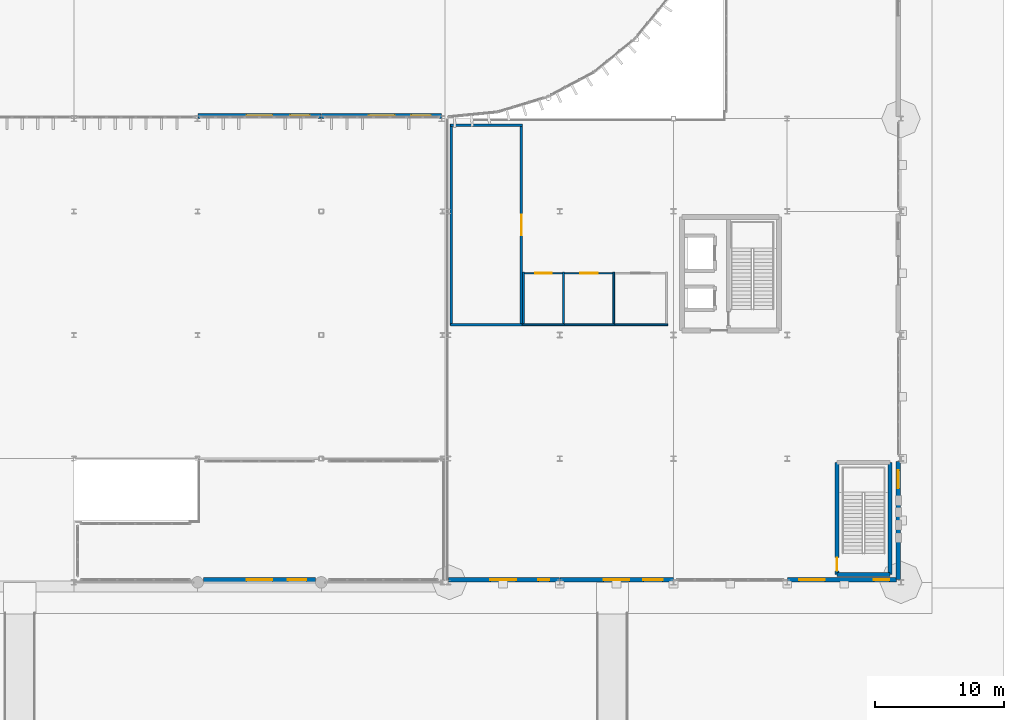
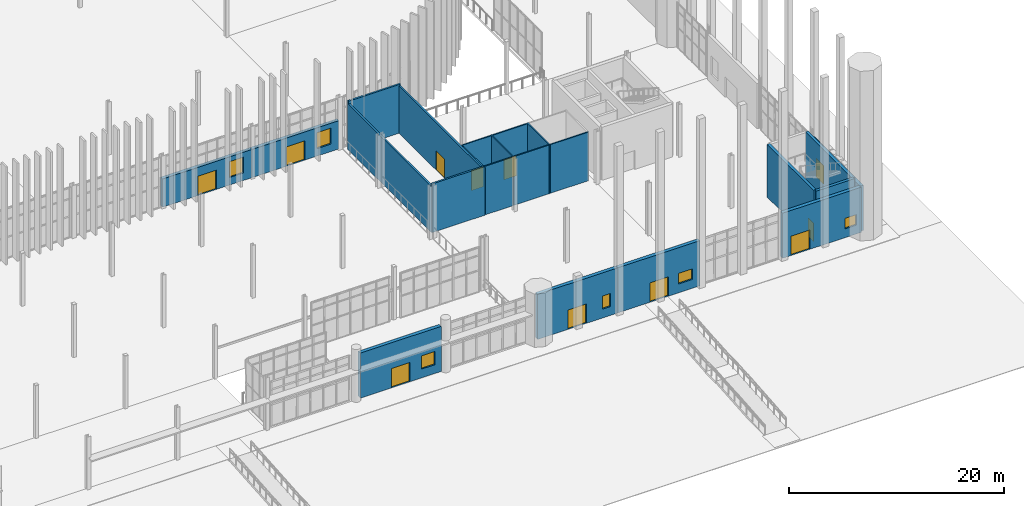
# One storey, part 105 of 139: 22 walls, 10 doors, 7 windows, 17 openings.
"""IFC4 building model written with IfcOpenShell, lengths in metres."""

from ifc_helpers import new_model, si_unit, direction, frame, frame_2d, origin, place, context, subcontext, project, spatial, rectangle, extrude, material, layer, layer_set, type_object, element, fill, save


model = new_model("IFC4")

# Units and contexts
model_context = context("Model", 3, precision=1e-05, world=origin(), true_north=direction((0.0, 1.0)))
body_context = subcontext(model_context, "Body", "Model", "MODEL_VIEW")
ifc_project = project(units=[si_unit("LENGTHUNIT", "METRE"), si_unit("AREAUNIT", "SQUARE_METRE"), si_unit("VOLUMEUNIT", "CUBIC_METRE"), si_unit("PLANEANGLEUNIT", "RADIAN"), si_unit("MASSUNIT", "GRAM", prefix="KILO")], contexts=[model_context])

# Site, building, storey
site_placement = place(None, origin())
site = spatial("IfcSite", under=ifc_project, at=site_placement, CompositionType="ELEMENT")
building_placement = place(site_placement, origin())
building = spatial("IfcBuilding", under=site, at=building_placement, Name="Yeouljin Market Hall", CompositionType="ELEMENT")
storey_placement = place(building_placement, origin())
storey = spatial("IfcBuildingStorey", under=building, at=storey_placement, Name="L00", CompositionType="ELEMENT", Elevation=0.0)

# Wall, opening, door
ifc_material_1 = material(Name="Ceramic-Faced Acoustic Partition")
ifc_layer_1 = layer(ifc_material_1, 0.18994140625)
ifc_layer_set_1 = layer_set([ifc_layer_1], Name="Ceramic-Faced Acoustic Partition")
wall_type_1 = type_object("IfcWallType", Name="Part_KitchenTile_190", PredefinedType="PARTITIONING", material=ifc_layer_set_1)
wall_1_placement = place(storey_placement, frame((146.93994140625, 19.919921875, 0.0), z_axis=(0.0, 0.0, 1.0), x_axis=(0.0, 1.0, 0.0)))
wall_1 = element("IfcWall", 1, at=wall_1_placement, inside=storey, type_object=wall_type_1, Name="Interior partition PART-L00-0062", PredefinedType="PARTITIONING", context=body_context, shape_type="SweptSolid", body=[
    extrude(rectangle(XDim=15.66015625, YDim=0.18994140625, at=frame_2d((7.830078125, 0.0))), origin(), (0.0, 0.0, 1.0), 5.364990234375),
])
opening_1_placement = place(wall_1_placement, frame((7.030029296875, 0.0, 0.0)))
opening_1 = element("IfcOpeningElement", 2, at=opening_1_placement, cuts=wall_1, Name="Opening D-L00-020", PredefinedType="OPENING", context=body_context, shape_type="SweptSolid", body=[
    extrude(rectangle(XDim=1.60009765625, YDim=2.199951171875, at=frame_2d((0.800048828125, 1.10009765625))), frame((0.0, 0.10498046875, 0.0), z_axis=(0.0, -1.0, 0.0), x_axis=(1.0, 0.0, 0.0)), (0.0, 0.0, 1.0), 0.2099609375),
])
ifc_material_2 = material(Name="Painted Fire-Rated Steel", Category="steel")
door_type_1 = type_object("IfcDoorType", Name="DT-FD160", OperationType="NOTDEFINED", PredefinedType="DOOR", material=ifc_material_2)
door_1_placement = place(opening_1_placement, origin())
door_1 = element("IfcDoor", 3, at=door_1_placement, inside=storey, type_object=door_type_1, Name="Interior door D-L00-020 (Commercial Kitchen)", OperationType="SINGLE_SWING_RIGHT", OverallHeight=2.199951171875, OverallWidth=1.60009765625, PredefinedType="DOOR", context=body_context, shape_type="SweptSolid", body=[
    extrude(rectangle(XDim=1.60009765625, YDim=2.199951171875, at=frame_2d((0.800048828125, 1.10009765625))), frame((0.0, 0.02490234375, 0.0), z_axis=(0.0, -1.0, 0.0), x_axis=(1.0, 0.0, 0.0)), (0.0, 0.0, 1.0), 0.050048828125),
])
fill(opening_1, door_1)

# Walls
wall_2_placement = place(storey_placement, frame((147.02001953125, 35.5, 0.0), z_axis=(0.0, 0.0, 1.0), x_axis=(-1.0, 0.0, 0.0)))
element("IfcWall", 4, at=wall_2_placement, inside=storey, type_object=wall_type_1, Name="Interior partition PART-L00-0063", PredefinedType="PARTITIONING", context=body_context, shape_type="SweptSolid", body=[
    extrude(rectangle(XDim=5.60009765625, YDim=0.18994140625, at=frame_2d((2.800048828125, 0.0))), origin(), (0.0, 0.0, 1.0), 5.52001953125),
])
wall_3_placement = place(storey_placement, frame((141.419921875, 20.0, 0.0), z_axis=(0.0, 0.0, 1.0), x_axis=(1.0, 0.0, 0.0)))
element("IfcWall", 5, at=wall_3_placement, inside=storey, type_object=wall_type_1, Name="Interior partition PART-L00-0064", PredefinedType="PARTITIONING", context=body_context, shape_type="SweptSolid", body=[
    extrude(rectangle(XDim=5.68017578125, YDim=0.18994140625, at=frame_2d((2.840087890625, 0.0))), origin(), (0.0, 0.0, 1.0), 5.52001953125),
])
wall_4_placement = place(storey_placement, frame((141.5, 35.580078125, 0.0), z_axis=(0.0, 0.0, 1.0), x_axis=(0.0, -1.0, 0.0)))
element("IfcWall", 6, at=wall_4_placement, inside=storey, type_object=wall_type_1, Name="Interior partition PART-L00-0065", PredefinedType="PARTITIONING", context=body_context, shape_type="SweptSolid", body=[
    extrude(rectangle(XDim=15.66015625, YDim=0.18994140625, at=frame_2d((7.830078125, 0.0))), origin(), (0.0, 0.0, 1.0), 5.215087890625),
])

# Wall, opening, door
ifc_material_3 = material(Name="Moisture-Resistant Gypsum Partition")
ifc_layer_2 = layer(ifc_material_3, 0.1298828125)
ifc_layer_set_2 = layer_set([ifc_layer_2], Name="Moisture-Resistant Gypsum Partition")
wall_type_2 = type_object("IfcWallType", Name="Part_Sanitary_130", PredefinedType="PARTITIONING", material=ifc_layer_set_2)
wall_5_placement = place(storey_placement, frame((150.280029296875, 24.0, 0.0), z_axis=(0.0, 0.0, 1.0), x_axis=(-1.0, 0.0, 0.0)))
wall_5 = element("IfcWall", 7, at=wall_5_placement, inside=storey, type_object=wall_type_2, Name="Interior partition PART-L00-0040", PredefinedType="PARTITIONING", context=body_context, shape_type="SweptSolid", body=[
    extrude(rectangle(XDim=3.260009765625, YDim=0.1298828125, at=frame_2d((1.6298828125, 0.0))), origin(), (0.0, 0.0, 1.0), 5.52001953125),
])
opening_2_placement = place(wall_5_placement, frame((0.989990234375, 0.0, 0.0)))
opening_2 = element("IfcOpeningElement", 8, at=opening_2_placement, cuts=wall_5, Name="Opening D-L00-013", PredefinedType="OPENING", context=body_context, shape_type="SweptSolid", body=[
    extrude(rectangle(XDim=1.280029296875, YDim=2.280029296875, at=frame_2d((0.64013671875, 1.14013671875))), frame((0.0, 0.074951171875, 0.0), z_axis=(0.0, -1.0, 0.0), x_axis=(1.0, 0.0, 0.0)), (0.0, 0.0, 1.0), 0.14990234375),
])
ifc_material_4 = material(Name="Acoustic Timber Veneer", Category="wood")
door_type_2 = type_object("IfcDoorType", Name="DT-ID128H", OperationType="NOTDEFINED", PredefinedType="DOOR", material=ifc_material_4)
door_2_placement = place(opening_2_placement, origin())
door_2 = element("IfcDoor", 9, at=door_2_placement, inside=storey, type_object=door_type_2, Name="Interior door D-L00-013 (East Accessible WC)", OperationType="SINGLE_SWING_LEFT", OverallHeight=2.280029296875, OverallWidth=1.280029296875, PredefinedType="DOOR", context=body_context, shape_type="SweptSolid", body=[
    extrude(rectangle(XDim=1.280029296875, YDim=2.280029296875, at=frame_2d((0.64013671875, 1.14013671875))), frame((0.0, 0.02490234375, 0.0), z_axis=(0.0, -1.0, 0.0), x_axis=(1.0, 0.0, 0.0)), (0.0, 0.0, 1.0), 0.050048828125),
])
fill(opening_2, door_2)

# Walls
wall_6_placement = place(storey_placement, frame((147.02001953125, 20.0, 0.0), z_axis=(0.0, 0.0, 1.0), x_axis=(1.0, 0.0, 0.0)))
element("IfcWall", 10, at=wall_6_placement, inside=storey, type_object=wall_type_2, Name="Interior partition PART-L00-0041", PredefinedType="PARTITIONING", context=body_context, shape_type="SweptSolid", body=[
    extrude(rectangle(XDim=3.260009765625, YDim=0.1298828125, at=frame_2d((1.6298828125, 0.0))), origin(), (0.0, 0.0, 1.0), 5.52001953125),
])
wall_7_placement = place(storey_placement, frame((150.199951171875, 19.919921875, 0.0), z_axis=(0.0, 0.0, 1.0), x_axis=(0.0, 1.0, 0.0)))
element("IfcWall", 11, at=wall_7_placement, inside=storey, type_object=wall_type_2, Name="Interior partition PART-L00-0042", PredefinedType="PARTITIONING", context=body_context, shape_type="SweptSolid", body=[
    extrude(rectangle(XDim=4.16015625, YDim=0.1298828125, at=frame_2d((2.080078125, 0.0))), origin(), (0.0, 0.0, 1.0), 5.52001953125),
])
wall_8_placement = place(storey_placement, frame((147.10009765625, 24.080078125, 0.0), z_axis=(0.0, 0.0, 1.0), x_axis=(0.0, -1.0, 0.0)))
element("IfcWall", 12, at=wall_8_placement, inside=storey, type_object=wall_type_2, Name="Interior partition PART-L00-0043", PredefinedType="PARTITIONING", context=body_context, shape_type="SweptSolid", body=[
    extrude(rectangle(XDim=4.16015625, YDim=0.1298828125, at=frame_2d((2.080078125, 0.0))), origin(), (0.0, 0.0, 1.0), 5.364990234375),
])

# Wall, opening, door
wall_9_placement = place(storey_placement, frame((154.179931640625, 24.0, 0.0), z_axis=(0.0, 0.0, 1.0), x_axis=(-1.0, 0.0, 0.0)))
wall_9 = element("IfcWall", 13, at=wall_9_placement, inside=storey, type_object=wall_type_2, Name="Interior partition PART-L00-0044", PredefinedType="PARTITIONING", context=body_context, shape_type="SweptSolid", body=[
    extrude(rectangle(XDim=3.97998046875, YDim=0.1298828125, at=frame_2d((1.989990234375, 0.0))), origin(), (0.0, 0.0, 1.0), 5.52001953125),
])
opening_3_placement = place(wall_9_placement, frame((1.31005859375, 0.0, 0.0)))
opening_3 = element("IfcOpeningElement", 14, at=opening_3_placement, cuts=wall_9, Name="Opening D-L00-014", PredefinedType="OPENING", context=body_context, shape_type="SweptSolid", body=[
    extrude(rectangle(XDim=1.360107421875, YDim=2.280029296875, at=frame_2d((0.68017578125, 1.14013671875))), frame((0.0, 0.074951171875, 0.0), z_axis=(0.0, -1.0, 0.0), x_axis=(1.0, 0.0, 0.0)), (0.0, 0.0, 1.0), 0.14990234375),
])
ifc_material_5 = material(Name="Acoustic Timber Veneer", Category="wood")
door_type_3 = type_object("IfcDoorType", Name="DT-ID136H", OperationType="NOTDEFINED", PredefinedType="DOOR", material=ifc_material_5)
door_3_placement = place(opening_3_placement, origin())
door_3 = element("IfcDoor", 15, at=door_3_placement, inside=storey, type_object=door_type_3, Name="Interior door D-L00-014 (East Male WC)", OperationType="SINGLE_SWING_RIGHT", OverallHeight=2.280029296875, OverallWidth=1.360107421875, PredefinedType="DOOR", context=body_context, shape_type="SweptSolid", body=[
    extrude(rectangle(XDim=1.360107421875, YDim=2.280029296875, at=frame_2d((0.68017578125, 1.14013671875))), frame((0.0, 0.02490234375, 0.0), z_axis=(0.0, -1.0, 0.0), x_axis=(1.0, 0.0, 0.0)), (0.0, 0.0, 1.0), 0.050048828125),
])
fill(opening_3, door_3)

# Walls
wall_10_placement = place(storey_placement, frame((150.199951171875, 20.0, 0.0), z_axis=(0.0, 0.0, 1.0), x_axis=(1.0, 0.0, 0.0)))
element("IfcWall", 16, at=wall_10_placement, inside=storey, type_object=wall_type_2, Name="Interior partition PART-L00-0045", PredefinedType="PARTITIONING", context=body_context, shape_type="SweptSolid", body=[
    extrude(rectangle(XDim=3.97998046875, YDim=0.1298828125, at=frame_2d((1.989990234375, 0.0))), origin(), (0.0, 0.0, 1.0), 5.52001953125),
])
wall_11_placement = place(storey_placement, frame((154.10009765625, 19.919921875, 0.0), z_axis=(0.0, 0.0, 1.0), x_axis=(0.0, 1.0, 0.0)))
element("IfcWall", 17, at=wall_11_placement, inside=storey, type_object=wall_type_2, Name="Interior partition PART-L00-0046", PredefinedType="PARTITIONING", context=body_context, shape_type="SweptSolid", body=[
    extrude(rectangle(XDim=4.16015625, YDim=0.1298828125, at=frame_2d((2.080078125, 0.0))), origin(), (0.0, 0.0, 1.0), 5.52001953125),
])
wall_12_placement = place(storey_placement, frame((154.10009765625, 20.0, 0.0), z_axis=(0.0, 0.0, 1.0), x_axis=(1.0, 0.0, 0.0)))
element("IfcWall", 18, at=wall_12_placement, inside=storey, type_object=wall_type_2, Name="Interior partition PART-L00-0048", PredefinedType="PARTITIONING", context=body_context, shape_type="SweptSolid", body=[
    extrude(rectangle(XDim=4.179931640625, YDim=0.1298828125, at=frame_2d((2.08984375, 0.0))), origin(), (0.0, 0.0, 1.0), 5.52001953125),
])

# Wall, opening, window
ifc_material_6 = material(Name="Clinker Brick Masonry F2-S2", Category="masonry")
ifc_layer_3 = layer(ifc_material_6, 0.35009765625)
ifc_layer_set_3 = layer_set([ifc_layer_3], Name="Clinker Brick Masonry F2-S2")
wall_type_3 = type_object("IfcWallType", Name="Wall_Ext_ClinkerCavity_350", PredefinedType="SOLIDWALL", material=ifc_layer_set_3)
wall_13_placement = place(storey_placement, frame((176.199951171875, 9.39404296875, 0.0), z_axis=(0.0, 0.0, 1.0), x_axis=(0.0, -1.0, 0.0)))
wall_13 = element("IfcWall", 19, at=wall_13_placement, inside=storey, type_object=wall_type_3, Name="Exterior wall WE-V3E-L00-9", PredefinedType="SOLIDWALL", context=body_context, shape_type="SweptSolid", body=[
    extrude(rectangle(XDim=9.18603515625, YDim=0.35009765625, at=frame_2d((4.593017578125, 0.0))), origin(), (0.0, 0.0, 1.0), 5.1201171875),
])
opening_4_placement = place(wall_13_placement, frame((0.694091796875, 0.0, 1.0)))
opening_4 = element("IfcOpeningElement", 20, at=opening_4_placement, cuts=wall_13, Name="Opening WN-14", PredefinedType="OPENING", context=body_context, shape_type="SweptSolid", body=[
    extrude(rectangle(XDim=1.39990234375, YDim=2.10009765625, at=frame_2d((0.699951171875, 1.050048828125))), frame((0.0, 0.18505859375, 0.0), z_axis=(0.0, -1.0, 0.0), x_axis=(1.0, 0.0, 0.0)), (0.0, 0.0, 1.0), 0.3701171875),
])
ifc_material_7 = material(Name="Low-E Insulated Glass", Category="glass")
window_type_1 = type_object("IfcWindowType", Name="Win_Ladder_1400x2100", PartitioningType="DOUBLE_PANEL_HORIZONTAL", PredefinedType="WINDOW", material=ifc_material_7)
window_1_placement = place(opening_4_placement, origin())
window_1 = element("IfcWindow", 21, at=window_1_placement, inside=storey, type_object=window_type_1, Name="Exterior window WIN-V3E-L00-9", OverallHeight=2.10009765625, OverallWidth=1.39990234375, PartitioningType="SINGLE_PANEL", PredefinedType="WINDOW", context=body_context, shape_type="SweptSolid", body=[
    extrude(rectangle(XDim=1.39990234375, YDim=2.10009765625, at=frame_2d((0.699951171875, 1.050048828125))), frame((0.0, 0.030029296875, 0.0), z_axis=(0.0, -1.0, 0.0), x_axis=(1.0, 0.0, 0.0)), (0.0, 0.0, 1.0), 0.06005859375),
])
fill(opening_4, window_1)

# Wall, openings, door, window
ifc_material_8 = material(Name="Pocheon Granite Stone", Category="masonry")
ifc_layer_4 = layer(ifc_material_8, 0.3798828125)
ifc_layer_set_4 = layer_set([ifc_layer_4], Name="Pocheon Granite Stone")
wall_type_4 = type_object("IfcWallType", Name="Wall_Ext_GranitePlinth_380", PredefinedType="SOLIDWALL", material=ifc_layer_set_4)
wall_14_placement = place(storey_placement, frame((131.385986328125, 36.18994140625, 0.0), z_axis=(0.0, 0.0, 1.0), x_axis=(-1.0, 0.0, 0.0)))
wall_14 = element("IfcWall", 22, at=wall_14_placement, inside=storey, type_object=wall_type_4, Name="Exterior wall WE-V1S-L00-10", PredefinedType="SOLIDWALL", context=body_context, shape_type="SweptSolid", body=[
    extrude(rectangle(XDim=9.572021484375, YDim=0.3798828125, at=frame_2d((4.7861328125, 0.0))), origin(), (0.0, 0.0, 1.0), 3.199951171875),
])
opening_5_placement = place(wall_14_placement, frame((3.785888671875, 0.0, 0.0)))
opening_5 = element("IfcOpeningElement", 23, at=opening_5_placement, cuts=wall_14, Name="Opening ED-L00-05", PredefinedType="OPENING", context=body_context, shape_type="SweptSolid", body=[
    extrude(rectangle(XDim=2.0, YDim=2.199951171875, at=frame_2d((1.0, 1.10009765625))), frame((0.0, 0.199951171875, 0.0), z_axis=(0.0, -1.0, 0.0), x_axis=(1.0, 0.0, 0.0)), (0.0, 0.0, 1.0), 0.39990234375),
])
opening_6_placement = place(wall_14_placement, frame((0.885986328125, 0.0, 0.85009765625)))
opening_6 = element("IfcOpeningElement", 24, at=opening_6_placement, cuts=wall_14, Name="Opening WN-05", PredefinedType="OPENING", context=body_context, shape_type="SweptSolid", body=[
    extrude(rectangle(XDim=1.5, YDim=1.800048828125, at=frame_2d((0.75, 0.89990234375))), frame((0.0, 0.199951171875, 0.0), z_axis=(0.0, -1.0, 0.0), x_axis=(1.0, 0.0, 0.0)), (0.0, 0.0, 1.0), 0.39990234375),
])
ifc_material_9 = material(Name="Thermally Broken Aluminium", Category="aluminium")
door_type_4 = type_object("IfcDoorType", Name="DT-ED200", OperationType="NOTDEFINED", PredefinedType="DOOR", material=ifc_material_9)
door_4_placement = place(opening_5_placement, origin())
door_4 = element("IfcDoor", 25, at=door_4_placement, inside=storey, type_object=door_type_4, Name="Market hall boulevard exit door ED-L00-05", OperationType="DOUBLE_DOOR_SINGLE_SWING", OverallHeight=2.199951171875, OverallWidth=2.0, PredefinedType="DOOR", context=body_context, shape_type="SweptSolid", body=[
    extrude(rectangle(XDim=2.0, YDim=2.199951171875, at=frame_2d((1.0, 1.10009765625))), frame((0.0, 0.02490234375, 0.0), z_axis=(0.0, -1.0, 0.0), x_axis=(1.0, 0.0, 0.0)), (0.0, 0.0, 1.0), 0.050048828125),
])
fill(opening_5, door_4)
ifc_material_10 = material(Name="Low-E Insulated Glass", Category="glass")
window_type_2 = type_object("IfcWindowType", Name="Win_Ladder_1500x1800", PartitioningType="DOUBLE_PANEL_HORIZONTAL", PredefinedType="WINDOW", material=ifc_material_10)
window_2_placement = place(opening_6_placement, origin())
window_2 = element("IfcWindow", 26, at=window_2_placement, inside=storey, type_object=window_type_2, Name="Exterior window WIN-V1S-10A", OverallHeight=1.800048828125, OverallWidth=1.5, PartitioningType="SINGLE_PANEL", PredefinedType="WINDOW", context=body_context, shape_type="SweptSolid", body=[
    extrude(rectangle(XDim=1.5, YDim=1.800048828125, at=frame_2d((0.75, 0.89990234375))), frame((0.0, 0.030029296875, 0.0), z_axis=(0.0, -1.0, 0.0), x_axis=(1.0, 0.0, 0.0)), (0.0, 0.0, 1.0), 0.06005859375),
])
fill(opening_6, window_2)

wall_15_placement = place(storey_placement, frame((140.74609375, 36.18994140625, 0.0), z_axis=(0.0, 0.0, 1.0), x_axis=(-1.0, 0.0, 0.0)))
wall_15 = element("IfcWall", 27, at=wall_15_placement, inside=storey, type_object=wall_type_4, Name="Exterior wall WE-V1S-L00-11", PredefinedType="SOLIDWALL", context=body_context, shape_type="SweptSolid", body=[
    extrude(rectangle(XDim=9.33203125, YDim=0.3798828125, at=frame_2d((4.666015625, 0.0))), origin(), (0.0, 0.0, 1.0), 3.199951171875),
])
opening_7_placement = place(wall_15_placement, frame((3.64599609375, 0.0, 0.0)))
opening_7 = element("IfcOpeningElement", 28, at=opening_7_placement, cuts=wall_15, Name="Opening ED-L00-06", PredefinedType="OPENING", context=body_context, shape_type="SweptSolid", body=[
    extrude(rectangle(XDim=2.0, YDim=2.199951171875, at=frame_2d((1.0, 1.10009765625))), frame((0.0, 0.199951171875, 0.0), z_axis=(0.0, -1.0, 0.0), x_axis=(1.0, 0.0, 0.0)), (0.0, 0.0, 1.0), 0.39990234375),
])
opening_8_placement = place(wall_15_placement, frame((0.845947265625, 0.0, 0.85009765625)))
opening_8 = element("IfcOpeningElement", 29, at=opening_8_placement, cuts=wall_15, Name="Opening WN-05", PredefinedType="OPENING", context=body_context, shape_type="SweptSolid", body=[
    extrude(rectangle(XDim=1.5, YDim=1.800048828125, at=frame_2d((0.75, 0.89990234375))), frame((0.0, 0.199951171875, 0.0), z_axis=(0.0, -1.0, 0.0), x_axis=(1.0, 0.0, 0.0)), (0.0, 0.0, 1.0), 0.39990234375),
])
door_5_placement = place(opening_7_placement, origin())
door_5 = element("IfcDoor", 30, at=door_5_placement, inside=storey, type_object=door_type_4, Name="Market hall boulevard exit door ED-L00-06", OperationType="DOUBLE_DOOR_SINGLE_SWING", OverallHeight=2.199951171875, OverallWidth=2.0, PredefinedType="DOOR", context=body_context, shape_type="SweptSolid", body=[
    extrude(rectangle(XDim=2.0, YDim=2.199951171875, at=frame_2d((1.0, 1.10009765625))), frame((0.0, 0.02490234375, 0.0), z_axis=(0.0, -1.0, 0.0), x_axis=(1.0, 0.0, 0.0)), (0.0, 0.0, 1.0), 0.050048828125),
])
fill(opening_7, door_5)
window_3_placement = place(opening_8_placement, origin())
window_3 = element("IfcWindow", 31, at=window_3_placement, inside=storey, type_object=window_type_2, Name="Exterior window WIN-V1S-11A", OverallHeight=1.800048828125, OverallWidth=1.5, PartitioningType="SINGLE_PANEL", PredefinedType="WINDOW", context=body_context, shape_type="SweptSolid", body=[
    extrude(rectangle(XDim=1.5, YDim=1.800048828125, at=frame_2d((0.75, 0.89990234375))), frame((0.0, 0.030029296875, 0.0), z_axis=(0.0, -1.0, 0.0), x_axis=(1.0, 0.0, 0.0)), (0.0, 0.0, 1.0), 0.06005859375),
])
fill(opening_8, window_3)

wall_16_placement = place(storey_placement, frame((176.050048828125, 0.199951171875, 0.0), z_axis=(0.0, 0.0, 1.0), x_axis=(-1.0, 0.0, 0.0)))
wall_16 = element("IfcWall", 32, at=wall_16_placement, inside=storey, type_object=wall_type_4, Name="Exterior wall WE-V3S-L00-1", PredefinedType="SOLIDWALL", context=body_context, shape_type="SweptSolid", body=[
    extrude(rectangle(XDim=8.466064453125, YDim=0.3798828125, at=frame_2d((4.23291015625, 0.0))), origin(), (0.0, 0.0, 1.0), 5.1201171875),
])
opening_9_placement = place(wall_16_placement, frame((5.550048828125, 0.0, 0.0)))
opening_9 = element("IfcOpeningElement", 33, at=opening_9_placement, cuts=wall_16, Name="Opening ED-L00-11", PredefinedType="OPENING", context=body_context, shape_type="SweptSolid", body=[
    extrude(rectangle(XDim=2.0, YDim=2.199951171875, at=frame_2d((1.0, 1.10009765625))), frame((0.0, 0.199951171875, 0.0), z_axis=(0.0, -1.0, 0.0), x_axis=(1.0, 0.0, 0.0)), (0.0, 0.0, 1.0), 0.39990234375),
])
opening_10_placement = place(wall_16_placement, frame((0.550048828125, 0.0, 1.0)))
opening_10 = element("IfcOpeningElement", 34, at=opening_10_placement, cuts=wall_16, Name="Opening WN-21", PredefinedType="OPENING", context=body_context, shape_type="SweptSolid", body=[
    extrude(rectangle(XDim=1.199951171875, YDim=1.199951171875, at=frame_2d((0.60009765625, 0.60009765625))), frame((0.0, 0.199951171875, 0.0), z_axis=(0.0, -1.0, 0.0), x_axis=(1.0, 0.0, 0.0)), (0.0, 0.0, 1.0), 0.39990234375),
])
door_6_placement = place(opening_9_placement, origin())
door_6 = element("IfcDoor", 35, at=door_6_placement, inside=storey, type_object=door_type_4, Name="Exterior door ED-L00-11", OperationType="DOUBLE_DOOR_SINGLE_SWING", OverallHeight=2.199951171875, OverallWidth=2.0, PredefinedType="DOOR", context=body_context, shape_type="SweptSolid", body=[
    extrude(rectangle(XDim=2.0, YDim=2.199951171875, at=frame_2d((1.0, 1.10009765625))), frame((0.0, 0.02490234375, 0.0), z_axis=(0.0, -1.0, 0.0), x_axis=(1.0, 0.0, 0.0)), (0.0, 0.0, 1.0), 0.050048828125),
])
fill(opening_9, door_6)
ifc_material_11 = material(Name="Low-E Insulated Glass", Category="glass")
window_type_3 = type_object("IfcWindowType", Name="Win_Ladder_1200x1200", PartitioningType="DOUBLE_PANEL_HORIZONTAL", PredefinedType="WINDOW", material=ifc_material_11)
window_4_placement = place(opening_10_placement, origin())
window_4 = element("IfcWindow", 36, at=window_4_placement, inside=storey, type_object=window_type_3, Name="Exterior window WIN-V3S-L00-1", OverallHeight=1.199951171875, OverallWidth=1.199951171875, PartitioningType="SINGLE_PANEL", PredefinedType="WINDOW", context=body_context, shape_type="SweptSolid", body=[
    extrude(rectangle(XDim=1.199951171875, YDim=1.199951171875, at=frame_2d((0.60009765625, 0.60009765625))), frame((0.0, 0.030029296875, 0.0), z_axis=(0.0, -1.0, 0.0), x_axis=(1.0, 0.0, 0.0)), (0.0, 0.0, 1.0), 0.06005859375),
])
fill(opening_10, window_4)

wall_17_placement = place(storey_placement, frame((158.72607421875, 0.199951171875, 0.0), z_axis=(0.0, 0.0, 1.0), x_axis=(-1.0, 0.0, 0.0)))
wall_17 = element("IfcWall", 37, at=wall_17_placement, inside=storey, type_object=wall_type_4, Name="Exterior wall WE-V3S-L00-3", PredefinedType="SOLIDWALL", context=body_context, shape_type="SweptSolid", body=[
    extrude(rectangle(XDim=8.802001953125, YDim=0.3798828125, at=frame_2d((4.40087890625, 0.0))), origin(), (0.0, 0.0, 1.0), 5.1201171875),
])
opening_11_placement = place(wall_17_placement, frame((3.40087890625, 0.0, 0.0)))
opening_11 = element("IfcOpeningElement", 38, at=opening_11_placement, cuts=wall_17, Name="Opening ED-L00-12", PredefinedType="OPENING", context=body_context, shape_type="SweptSolid", body=[
    extrude(rectangle(XDim=2.0, YDim=2.199951171875, at=frame_2d((1.0, 1.10009765625))), frame((0.0, 0.199951171875, 0.0), z_axis=(0.0, -1.0, 0.0), x_axis=(1.0, 0.0, 0.0)), (0.0, 0.0, 1.0), 0.39990234375),
])
opening_12_placement = place(wall_17_placement, frame((0.825927734375, 0.0, 1.0)))
opening_12 = element("IfcOpeningElement", 39, at=opening_12_placement, cuts=wall_17, Name="Opening WN-22", PredefinedType="OPENING", context=body_context, shape_type="SweptSolid", body=[
    extrude(rectangle(XDim=1.5, YDim=1.199951171875, at=frame_2d((0.75, 0.60009765625))), frame((0.0, 0.199951171875, 0.0), z_axis=(0.0, -1.0, 0.0), x_axis=(1.0, 0.0, 0.0)), (0.0, 0.0, 1.0), 0.39990234375),
])
door_7_placement = place(opening_11_placement, origin())
door_7 = element("IfcDoor", 40, at=door_7_placement, inside=storey, type_object=door_type_4, Name="Exterior door ED-L00-12", OperationType="DOUBLE_DOOR_SINGLE_SWING", OverallHeight=2.199951171875, OverallWidth=2.0, PredefinedType="DOOR", context=body_context, shape_type="SweptSolid", body=[
    extrude(rectangle(XDim=2.0, YDim=2.199951171875, at=frame_2d((1.0, 1.10009765625))), frame((0.0, 0.02490234375, 0.0), z_axis=(0.0, -1.0, 0.0), x_axis=(1.0, 0.0, 0.0)), (0.0, 0.0, 1.0), 0.050048828125),
])
fill(opening_11, door_7)
ifc_material_12 = material(Name="Low-E Insulated Glass", Category="glass")
window_type_4 = type_object("IfcWindowType", Name="Win_Ladder_1500x1200", PartitioningType="DOUBLE_PANEL_HORIZONTAL", PredefinedType="WINDOW", material=ifc_material_12)
window_5_placement = place(opening_12_placement, origin())
window_5 = element("IfcWindow", 41, at=window_5_placement, inside=storey, type_object=window_type_4, Name="Exterior window WIN-V3S-L00-3", OverallHeight=1.199951171875, OverallWidth=1.5, PartitioningType="SINGLE_PANEL", PredefinedType="WINDOW", context=body_context, shape_type="SweptSolid", body=[
    extrude(rectangle(XDim=1.5, YDim=1.199951171875, at=frame_2d((0.75, 0.60009765625))), frame((0.0, 0.030029296875, 0.0), z_axis=(0.0, -1.0, 0.0), x_axis=(1.0, 0.0, 0.0)), (0.0, 0.0, 1.0), 0.06005859375),
])
fill(opening_12, window_5)

wall_18_placement = place(storey_placement, frame((149.89599609375, 0.199951171875, 0.0), z_axis=(0.0, 0.0, 1.0), x_axis=(-1.0, 0.0, 0.0)))
wall_18 = element("IfcWall", 42, at=wall_18_placement, inside=storey, type_object=wall_type_4, Name="Exterior wall WE-V3S-L00-4", PredefinedType="SOLIDWALL", context=body_context, shape_type="SweptSolid", body=[
    extrude(rectangle(XDim=8.614013671875, YDim=0.3798828125, at=frame_2d((4.30712890625, 0.0))), origin(), (0.0, 0.0, 1.0), 5.1201171875),
])
opening_13_placement = place(wall_18_placement, frame((3.37109375, 0.0, 0.0)))
opening_13 = element("IfcOpeningElement", 43, at=opening_13_placement, cuts=wall_18, Name="Opening ED-L00-13", PredefinedType="OPENING", context=body_context, shape_type="SweptSolid", body=[
    extrude(rectangle(XDim=2.0, YDim=2.199951171875, at=frame_2d((1.0, 1.10009765625))), frame((0.0, 0.199951171875, 0.0), z_axis=(0.0, -1.0, 0.0), x_axis=(1.0, 0.0, 0.0)), (0.0, 0.0, 1.0), 0.39990234375),
])
opening_14_placement = place(wall_18_placement, frame((0.7958984375, 0.0, 1.0)))
opening_14 = element("IfcOpeningElement", 44, at=opening_14_placement, cuts=wall_18, Name="Opening WN-31", PredefinedType="OPENING", context=body_context, shape_type="SweptSolid", body=[
    extrude(rectangle(XDim=0.85009765625, YDim=1.5, at=frame_2d((0.425048828125, 0.75))), frame((0.0, 0.199951171875, 0.0), z_axis=(0.0, -1.0, 0.0), x_axis=(1.0, 0.0, 0.0)), (0.0, 0.0, 1.0), 0.39990234375),
])
door_8_placement = place(opening_13_placement, origin())
door_8 = element("IfcDoor", 45, at=door_8_placement, inside=storey, type_object=door_type_4, Name="Exterior door ED-L00-13", OperationType="DOUBLE_DOOR_SINGLE_SWING", OverallHeight=2.199951171875, OverallWidth=2.0, PredefinedType="DOOR", context=body_context, shape_type="SweptSolid", body=[
    extrude(rectangle(XDim=2.0, YDim=2.199951171875, at=frame_2d((1.0, 1.10009765625))), frame((0.0, 0.02490234375, 0.0), z_axis=(0.0, -1.0, 0.0), x_axis=(1.0, 0.0, 0.0)), (0.0, 0.0, 1.0), 0.050048828125),
])
fill(opening_13, door_8)
ifc_material_13 = material(Name="Low-E Insulated Glass", Category="glass")
window_type_5 = type_object("IfcWindowType", Name="Win_Ladder_850x1500", PartitioningType="DOUBLE_PANEL_HORIZONTAL", PredefinedType="WINDOW", material=ifc_material_13)
window_6_placement = place(opening_14_placement, origin())
window_6 = element("IfcWindow", 46, at=window_6_placement, inside=storey, type_object=window_type_5, Name="Exterior window WIN-V3S-L00-4", OverallHeight=1.5, OverallWidth=0.85009765625, PartitioningType="SINGLE_PANEL", PredefinedType="WINDOW", context=body_context, shape_type="SweptSolid", body=[
    extrude(rectangle(XDim=0.85009765625, YDim=1.5, at=frame_2d((0.425048828125, 0.75))), frame((0.0, 0.030029296875, 0.0), z_axis=(0.0, -1.0, 0.0), x_axis=(1.0, 0.0, 0.0)), (0.0, 0.0, 1.0), 0.06005859375),
])
fill(opening_14, window_6)

wall_19_placement = place(storey_placement, frame((130.946044921875, 0.199951171875, 0.0), z_axis=(0.0, 0.0, 1.0), x_axis=(-1.0, 0.0, 0.0)))
wall_19 = element("IfcWall", 47, at=wall_19_placement, inside=storey, type_object=wall_type_4, Name="Exterior wall WE-V5S-L00-5", PredefinedType="SOLIDWALL", context=body_context, shape_type="SweptSolid", body=[
    extrude(rectangle(XDim=8.692138671875, YDim=0.3798828125, at=frame_2d((4.34619140625, 0.0))), origin(), (0.0, 0.0, 1.0), 5.1201171875),
])
opening_15_placement = place(wall_19_placement, frame((3.345947265625, 0.0, 0.0)))
opening_15 = element("IfcOpeningElement", 48, at=opening_15_placement, cuts=wall_19, Name="Opening ED-L00-18", PredefinedType="OPENING", context=body_context, shape_type="SweptSolid", body=[
    extrude(rectangle(XDim=2.0, YDim=2.199951171875, at=frame_2d((1.0, 1.10009765625))), frame((0.0, 0.199951171875, 0.0), z_axis=(0.0, -1.0, 0.0), x_axis=(1.0, 0.0, 0.0)), (0.0, 0.0, 1.0), 0.39990234375),
])
opening_16_placement = place(wall_19_placement, frame((0.696044921875, 0.0, 1.0)))
opening_16 = element("IfcOpeningElement", 49, at=opening_16_placement, cuts=wall_19, Name="Opening WN-33", PredefinedType="OPENING", context=body_context, shape_type="SweptSolid", body=[
    extrude(rectangle(XDim=1.449951171875, YDim=1.5, at=frame_2d((0.72509765625, 0.75))), frame((0.0, 0.199951171875, 0.0), z_axis=(0.0, -1.0, 0.0), x_axis=(1.0, 0.0, 0.0)), (0.0, 0.0, 1.0), 0.39990234375),
])
door_9_placement = place(opening_15_placement, origin())
door_9 = element("IfcDoor", 50, at=door_9_placement, inside=storey, type_object=door_type_4, Name="Exterior door ED-L00-18", OperationType="DOUBLE_DOOR_SINGLE_SWING", OverallHeight=2.199951171875, OverallWidth=2.0, PredefinedType="DOOR", context=body_context, shape_type="SweptSolid", body=[
    extrude(rectangle(XDim=2.0, YDim=2.199951171875, at=frame_2d((1.0, 1.10009765625))), frame((0.0, 0.02490234375, 0.0), z_axis=(0.0, -1.0, 0.0), x_axis=(1.0, 0.0, 0.0)), (0.0, 0.0, 1.0), 0.050048828125),
])
fill(opening_15, door_9)
ifc_material_14 = material(Name="Low-E Insulated Glass", Category="glass")
window_type_6 = type_object("IfcWindowType", Name="Win_Ladder_1450x1500", PartitioningType="DOUBLE_PANEL_HORIZONTAL", PredefinedType="WINDOW", material=ifc_material_14)
window_7_placement = place(opening_16_placement, origin())
window_7 = element("IfcWindow", 51, at=window_7_placement, inside=storey, type_object=window_type_6, Name="Exterior window WIN-V5S-L00-5", OverallHeight=1.5, OverallWidth=1.449951171875, PartitioningType="SINGLE_PANEL", PredefinedType="WINDOW", context=body_context, shape_type="SweptSolid", body=[
    extrude(rectangle(XDim=1.449951171875, YDim=1.5, at=frame_2d((0.72509765625, 0.75))), frame((0.0, 0.030029296875, 0.0), z_axis=(0.0, -1.0, 0.0), x_axis=(1.0, 0.0, 0.0)), (0.0, 0.0, 1.0), 0.06005859375),
])
fill(opening_16, window_7)

# Wall
ifc_material_15 = material(Name="Concrete C35/45", Category="concrete")
ifc_layer_5 = layer(ifc_material_15, 0.300048828125)
ifc_layer_set_5 = layer_set([ifc_layer_5], Name="Concrete C35/45")
wall_type_5 = type_object("IfcWallType", Name="Wall_ShaftShear_300", PredefinedType="SHEAR", material=ifc_layer_set_5)
wall_20_placement = place(storey_placement, frame((171.449951171875, 0.60009765625, 0.0), z_axis=(0.0, 0.0, 1.0), x_axis=(1.0, 0.0, 0.0)))
element("IfcWall", 52, at=wall_20_placement, inside=storey, type_object=wall_type_5, Name="Core S8 south shear wall (L00)", PredefinedType="SHEAR", context=body_context, shape_type="SweptSolid", body=[
    extrude(rectangle(XDim=4.10009765625, YDim=0.300048828125, at=frame_2d((2.050048828125, 0.0))), origin(), (0.0, 0.0, 1.0), 6.0),
])

# Wall, opening, door
wall_21_placement = place(storey_placement, frame((171.449951171875, 9.300048828125, 0.0), z_axis=(0.0, 0.0, 1.0), x_axis=(0.0, -1.0, 0.0)))
wall_21 = element("IfcWall", 53, at=wall_21_placement, inside=storey, type_object=wall_type_5, Name="Core S8 west shear wall (L00)", PredefinedType="SHEAR", context=body_context, shape_type="SweptSolid", body=[
    extrude(rectangle(XDim=8.699951171875, YDim=0.300048828125, at=frame_2d((4.35009765625, 0.0))), origin(), (0.0, 0.0, 1.0), 6.0),
])
opening_17_placement = place(wall_21_placement, frame((7.3798828125, 0.0, 0.0)))
opening_17 = element("IfcOpeningElement", 54, at=opening_17_placement, cuts=wall_21, Name="Opening SD-S8-L00", PredefinedType="OPENING", context=body_context, shape_type="SweptSolid", body=[
    extrude(rectangle(XDim=1.02001953125, YDim=2.10009765625, at=frame_2d((0.510009765625, 1.050048828125))), frame((0.0, 0.159912109375, 0.0), z_axis=(0.0, -1.0, 0.0), x_axis=(1.0, 0.0, 0.0)), (0.0, 0.0, 1.0), 0.320068359375),
])
ifc_material_16 = material(Name="Painted Fire-Rated Steel", Category="steel")
door_type_5 = type_object("IfcDoorType", Name="DT-FD102", OperationType="NOTDEFINED", PredefinedType="DOOR", material=ifc_material_16)
door_10_placement = place(opening_17_placement, origin())
door_10 = element("IfcDoor", 55, at=door_10_placement, inside=storey, type_object=door_type_5, Name="Escape stair S8 fire door (L00)", OperationType="SINGLE_SWING_LEFT", OverallHeight=2.10009765625, OverallWidth=1.02001953125, PredefinedType="DOOR", context=body_context, shape_type="SweptSolid", body=[
    extrude(rectangle(XDim=1.02001953125, YDim=2.10009765625, at=frame_2d((0.510009765625, 1.050048828125))), frame((0.0, 0.02490234375, 0.0), z_axis=(0.0, -1.0, 0.0), x_axis=(1.0, 0.0, 0.0)), (0.0, 0.0, 1.0), 0.050048828125),
])
fill(opening_17, door_10)

# Wall
wall_22_placement = place(storey_placement, frame((175.550048828125, 0.60009765625, 0.0), z_axis=(0.0, 0.0, 1.0), x_axis=(0.0, 1.0, 0.0)))
element("IfcWall", 56, at=wall_22_placement, inside=storey, type_object=wall_type_5, Name="Core S8 east shear wall (L00)", PredefinedType="SHEAR", context=body_context, shape_type="SweptSolid", body=[
    extrude(rectangle(XDim=8.699951171875, YDim=0.300048828125, at=frame_2d((4.35009765625, 0.0))), origin(), (0.0, 0.0, 1.0), 6.0),
])

save(model, "model.ifc")
